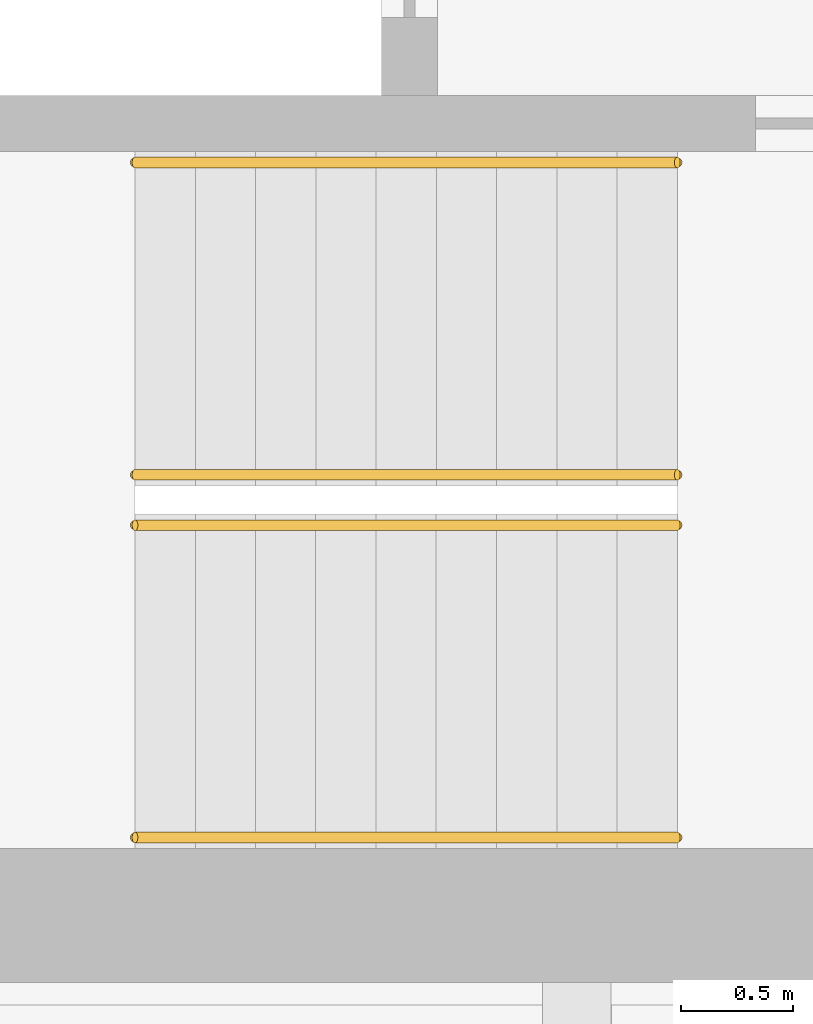
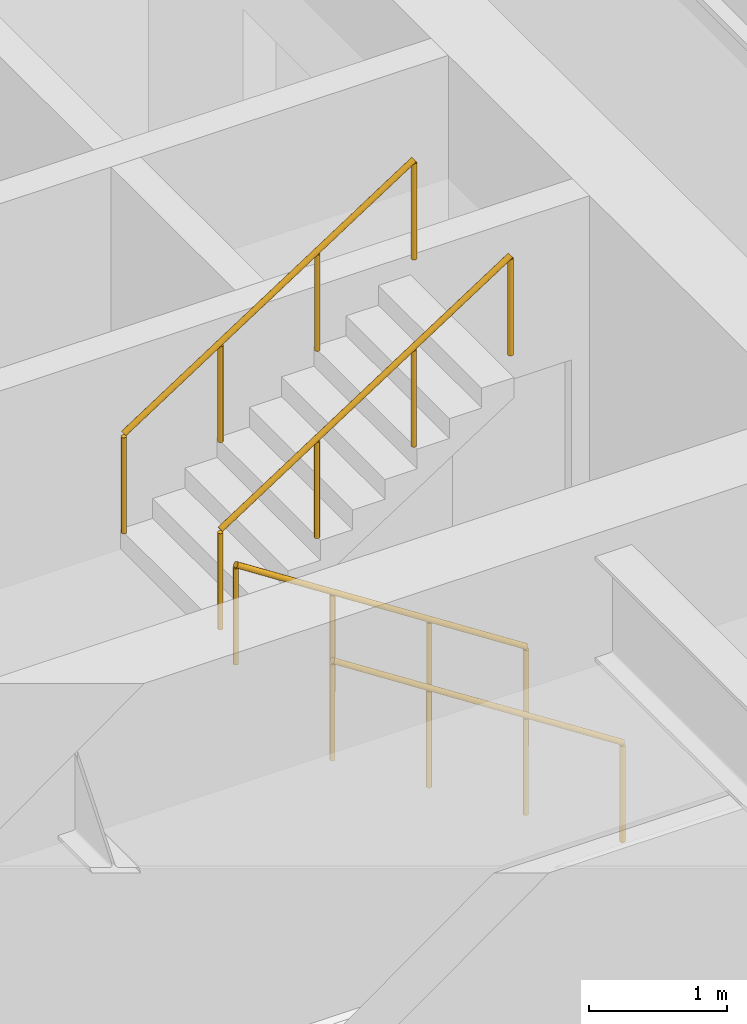
# One storey, part 17 of 21: 4 railings.
"""IFC4 building model written with IfcOpenShell, lengths in metres."""

from ifc_helpers import new_model, si_unit, direction, frame, origin, origin_2d, place, context, subcontext, project, spatial, circle, extrude, material, type_object, element, save


model = new_model("IFC4")

# Units and contexts
model_context = context("Model", 3, precision=1e-05, world=origin(), true_north=direction((0.0, 1.0)))
body_context = subcontext(model_context, "Body", "Model", "MODEL_VIEW")
ifc_project = project(units=[si_unit("LENGTHUNIT", "METRE"), si_unit("AREAUNIT", "SQUARE_METRE"), si_unit("VOLUMEUNIT", "CUBIC_METRE"), si_unit("PLANEANGLEUNIT", "RADIAN"), si_unit("MASSUNIT", "GRAM", prefix="KILO")], contexts=[model_context])

# Site, building, storey
site_placement = place(None, origin())
site = spatial("IfcSite", under=ifc_project, at=site_placement, CompositionType="ELEMENT")
building_placement = place(site_placement, origin())
building = spatial("IfcBuilding", under=site, at=building_placement, Name="Msasa Ring Tower", CompositionType="ELEMENT")
storey_placement = place(building_placement, frame((0.0, 0.0, 79.0)))
storey = spatial("IfcBuildingStorey", under=building, at=storey_placement, Name="L20", CompositionType="ELEMENT", Elevation=79.0)

# Railings
ifc_material = material(Name="Stainless steel", Category="steel")
railing_type = type_object("IfcRailingType", Name="HR1 HANDRAIL 900", PredefinedType="HANDRAIL", material=ifc_material)
for number, where, name in (
    (1, (-10.800048828125, -6.39990234375, 0.175048828125), "Handrail stair SWA L20 1"),
    (2, (-10.800048828125, -5.0, 0.175048828125), "Handrail stair SWA L20 2"),
):
    element("IfcRailing", number, at=place(storey_placement, frame(where)), inside=storey, type_object=railing_type, Name=name, PredefinedType="HANDRAIL", context=body_context, shape_type="SweptSolid", body=[
        extrude(circle(Radius=0.02392578125, at=origin_2d()), frame((0.0, 0.0, 0.8759765625), z_axis=(-0.839153699163, 0.0, 0.543894354798), x_axis=(0.0, -1.0, 0.0)), (0.0, 0.0, 1.0), 2.895751953125),
        extrude(circle(Radius=0.02099609375, at=origin_2d()), origin(), (0.0, 0.0, 1.0), 0.851806640625),
        extrude(circle(Radius=0.02099609375, at=origin_2d()), frame((-0.81005859375, 0.0, 0.52490234375)), (0.0, 0.0, 1.0), 0.851806640625),
        extrude(circle(Radius=0.02099609375, at=origin_2d()), frame((-1.619873046875, 0.0, 1.050048828125)), (0.0, 0.0, 1.0), 0.851806640625),
        extrude(circle(Radius=0.02099609375, at=origin_2d()), frame((-2.429931640625, 0.0, 1.574951171875)), (0.0, 0.0, 1.0), 0.851806640625),
    ])
for number, where, name in (
    (3, (-13.22998046875, -4.77490234375, 1.925048828125), "Handrail stair SWA L20 3"),
    (4, (-13.22998046875, -3.375, 1.925048828125), "Handrail stair SWA L20 4"),
):
    element("IfcRailing", number, at=place(storey_placement, frame(where)), inside=storey, type_object=railing_type, Name=name, PredefinedType="HANDRAIL", context=body_context, shape_type="SweptSolid", body=[
        extrude(circle(Radius=0.02392578125, at=origin_2d()), frame((0.0, 0.0, 0.8759765625), z_axis=(0.839153699163, 0.0, 0.543894354798), x_axis=(0.0, 1.0, 0.0)), (0.0, 0.0, 1.0), 2.895751953125),
        extrude(circle(Radius=0.02099609375, at=origin_2d()), origin(), (0.0, 0.0, 1.0), 0.851806640625),
        extrude(circle(Radius=0.02099609375, at=origin_2d()), frame((0.81005859375, 0.0, 0.52490234375)), (0.0, 0.0, 1.0), 0.851806640625),
        extrude(circle(Radius=0.02099609375, at=origin_2d()), frame((1.619873046875, 0.0, 1.050048828125)), (0.0, 0.0, 1.0), 0.851806640625),
        extrude(circle(Radius=0.02099609375, at=origin_2d()), frame((2.429931640625, 0.0, 1.574951171875)), (0.0, 0.0, 1.0), 0.851806640625),
    ])

save(model, "model.ifc")
